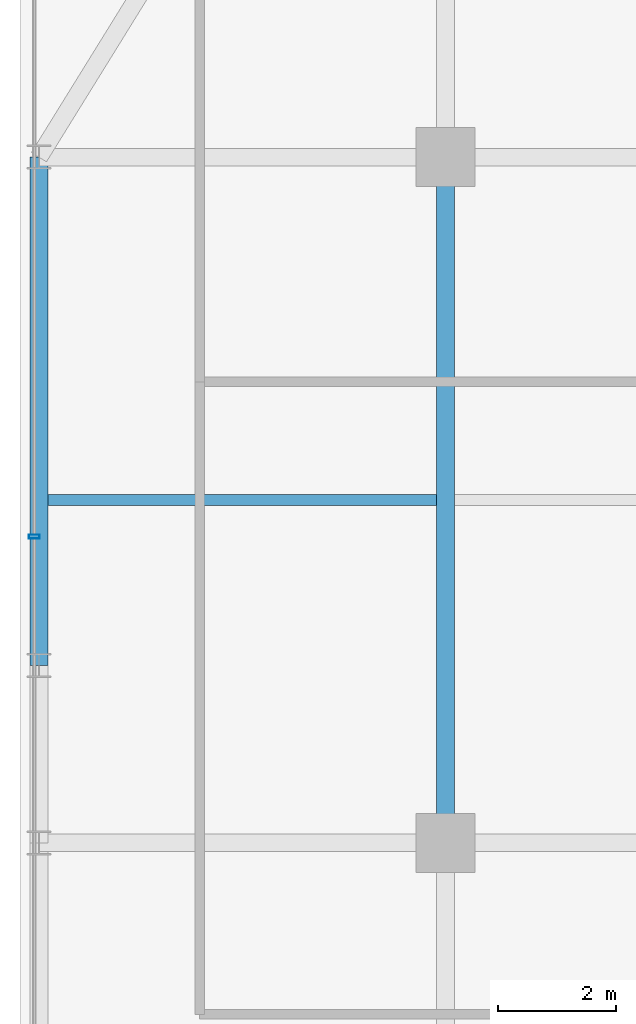
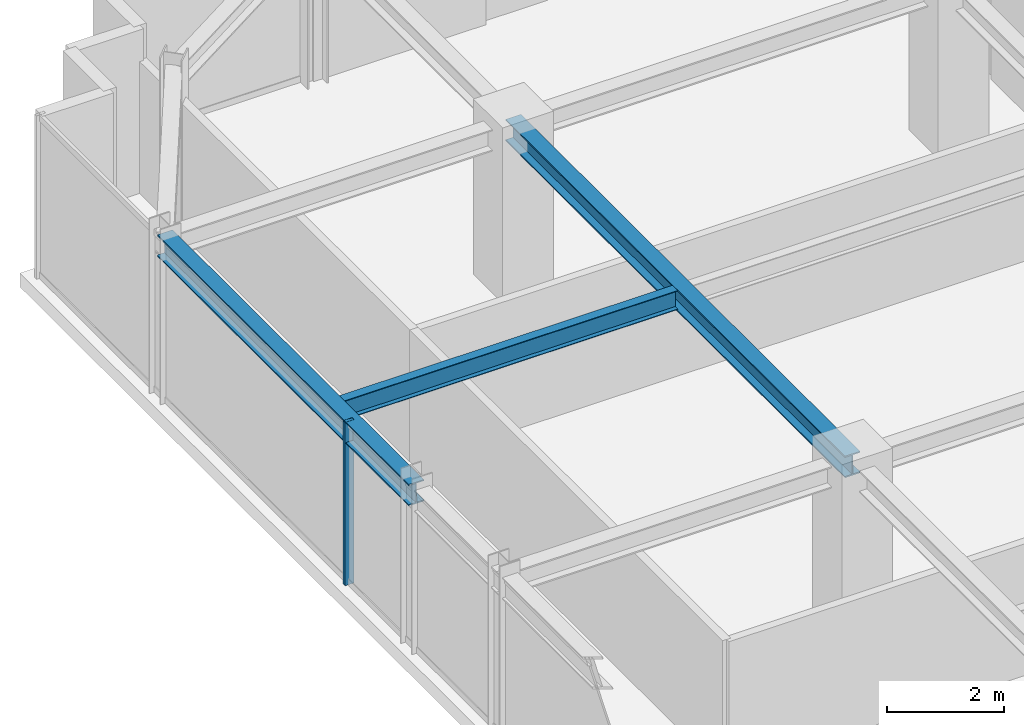
# One storey, part 18 of 36: 3 beams, 1 member, 1 element without a shape of its own.
"""IFC4 building model written with IfcOpenShell, lengths in metres."""

from ifc_helpers import new_model, si_unit, direction, frame, origin, origin_2d, place, context, subcontext, project, spatial, hollow_rectangle, i_section, extrude, source, transform, mapped, material, material_profile, profile_set, type_object, element, aggregate, save


model = new_model("IFC4")

# Units and contexts
model_context = context("Model", 3, precision=1e-05, world=origin(), true_north=direction((0.0, 1.0)))
body_context = subcontext(model_context, "Body", "Model", "MODEL_VIEW")
ifc_project = project(units=[si_unit("LENGTHUNIT", "METRE"), si_unit("AREAUNIT", "SQUARE_METRE"), si_unit("VOLUMEUNIT", "CUBIC_METRE"), si_unit("PLANEANGLEUNIT", "RADIAN"), si_unit("MASSUNIT", "GRAM", prefix="KILO")], contexts=[model_context])

# Site, building, storey
site_placement = place(None, origin())
site = spatial("IfcSite", under=ifc_project, at=site_placement, CompositionType="ELEMENT")
building_placement = place(site_placement, origin())
building = spatial("IfcBuilding", under=site, at=building_placement, Name="Nahalor Promenade Grand Hotel", CompositionType="ELEMENT")
storey_placement = place(building_placement, frame((0.0, 0.0, 219.699951171875)))
storey = spatial("IfcBuildingStorey", under=building, at=storey_placement, Name="L56", CompositionType="ELEMENT", Elevation=219.699951171875)

# Beams
ifc_material_1 = material(Name="Steel S355JR", Category="steel")
ifc_material_profile_1 = material_profile(ifc_material_1, i_section(OverallWidth=0.3, OverallDepth=0.45, WebThickness=0.014, FlangeThickness=0.026, at=origin_2d()), Name="HEB 450")
ifc_profile_set_1 = profile_set([ifc_material_profile_1], Name="Steel S355JR")
beam_type_1 = type_object("IfcBeamType", Name="Beam-Spandrel-HEB450", PredefinedType="SPANDREL", material=ifc_profile_set_1)
shared_shape_1 = source(origin(), body_context, "Body", "SweptSolid", [
    extrude(i_section(OverallWidth=0.3, OverallDepth=0.45, WebThickness=0.014, FlangeThickness=0.026, at=origin_2d()), origin(), (0.0, 0.0, 1.0), 8.60009765625),
])
beam_1_placement = place(storey_placement, frame((-23.8798828125, 8.39990234375, 3.18505859375), z_axis=(0.0, 1.0, 0.0), x_axis=(-1.0, 0.0, 0.0)))
element("IfcBeam", 1, at=beam_1_placement, inside=storey, type_object=beam_type_1, Name="BM-L56-SP-W-4", PredefinedType="SPANDREL", context=body_context, shape_type="MappedRepresentation", body=[
    mapped(shared_shape_1, transform((0.0, 0.0, 0.0), scale=1.0)),
])
ifc_material_profile_2 = material_profile(ifc_material_1, i_section(OverallWidth=0.3, OverallDepth=0.45, WebThickness=0.014, FlangeThickness=0.026, at=origin_2d()), Name="HEB 450")
ifc_profile_set_2 = profile_set([ifc_material_profile_2], Name="Steel S355JR")
beam_type_2 = type_object("IfcBeamType", Name="Beam-Girder-HEB450", PredefinedType="BEAM", material=ifc_profile_set_2)
shared_shape_2 = source(origin(), body_context, "Body", "SweptSolid", [
    extrude(i_section(OverallWidth=0.3, OverallDepth=0.45, WebThickness=0.014, FlangeThickness=0.026, at=origin_2d()), origin(), (0.0, 0.0, 1.0), 11.60009765625),
])
beam_2_placement = place(storey_placement, frame((-17.0, 5.39990234375, 3.18505859375), z_axis=(0.0, 1.0, 0.0), x_axis=(-1.0, 0.0, 0.0)))
element("IfcBeam", 2, at=beam_2_placement, inside=storey, type_object=beam_type_2, Name="BM-L56-GY-0-3", PredefinedType="BEAM", context=body_context, shape_type="MappedRepresentation", body=[
    mapped(shared_shape_2, transform((0.0, 0.0, 0.0), scale=1.0)),
])
ifc_material_profile_3 = material_profile(ifc_material_1, i_section(OverallWidth=0.18, OverallDepth=0.4, WebThickness=0.0086, FlangeThickness=0.0135, at=origin_2d()), Name="IPE 400")
ifc_profile_set_3 = profile_set([ifc_material_profile_3], Name="Steel S355JR")
beam_type_3 = type_object("IfcBeamType", Name="Beam-Joist-IPE400", PredefinedType="JOIST", material=ifc_profile_set_3)
shared_shape_3 = source(origin(), body_context, "Body", "SweptSolid", [
    extrude(i_section(OverallWidth=0.18, OverallDepth=0.4, WebThickness=0.0086, FlangeThickness=0.0135, at=origin_2d()), origin(), (0.0, 0.0, 1.0), 6.580078125),
])
beam_3_placement = place(storey_placement, frame((-23.72998046875, 11.199951171875, 3.2099609375), z_axis=(1.0, 0.0, 0.0), x_axis=(0.0, 1.0, 0.0)))
element("IfcBeam", 3, at=beam_3_placement, inside=storey, type_object=beam_type_3, Name="BM-L56-JSW-1-0", PredefinedType="JOIST", context=body_context, shape_type="MappedRepresentation", body=[
    mapped(shared_shape_3, transform((0.0, 0.0, 0.0), scale=1.0)),
])

# Curtain wall, member
ifc_material_2 = material(Name="Anodised Bronze Aluminium EN AW-6063 T6", Category="aluminium")
curtain_wall_type = type_object("IfcCurtainWallType", Name="CW2 Typical Hotel Flush Bronze Unitised Curtain Wall", PredefinedType="USERDEFINED", material=ifc_material_2)
curtain_wall_placement = place(storey_placement, origin())
curtain_wall = element("IfcCurtainWall", 4, at=curtain_wall_placement, inside=storey, type_object=curtain_wall_type, Name="L56 Curtain Wall CW-L56-W-1", ObjectType="UNITISED_CURTAIN_WALL", PredefinedType="USERDEFINED")
ifc_material_profile_4 = material_profile(ifc_material_2, hollow_rectangle(XDim=0.065, YDim=0.18, WallThickness=0.004, at=origin_2d()), Name="CWM 65x180x4")
ifc_profile_set_4 = profile_set([ifc_material_profile_4], Name="Anodised Bronze Aluminium EN AW-6063 T6")
member_type = type_object("IfcMemberType", Name="CWM2 Typical Bronze Mullion 65x180", PredefinedType="MULLION", material=ifc_profile_set_4)
shared_shape_4 = source(origin(), body_context, "Body", "SweptSolid", [
    extrude(hollow_rectangle(XDim=0.065, YDim=0.18, WallThickness=0.004, at=origin_2d()), origin(), (0.0, 0.0, 1.0), 3.41015625),
])
member_placement = place(storey_placement, frame((-23.9599609375, 10.580078125, 0.0), z_axis=(0.0, 0.0, 1.0), x_axis=(0.0, 1.0, 0.0)))
member = element("IfcMember", 5, at=member_placement, type_object=member_type, Name="CW-L56-W-1 Mullion 3", PredefinedType="MULLION", context=body_context, shape_type="MappedRepresentation", body=[
    mapped(shared_shape_4, transform((0.0, 0.0, 0.0), scale=1.0)),
])
aggregate(curtain_wall, [member])

save(model, "model.ifc")
